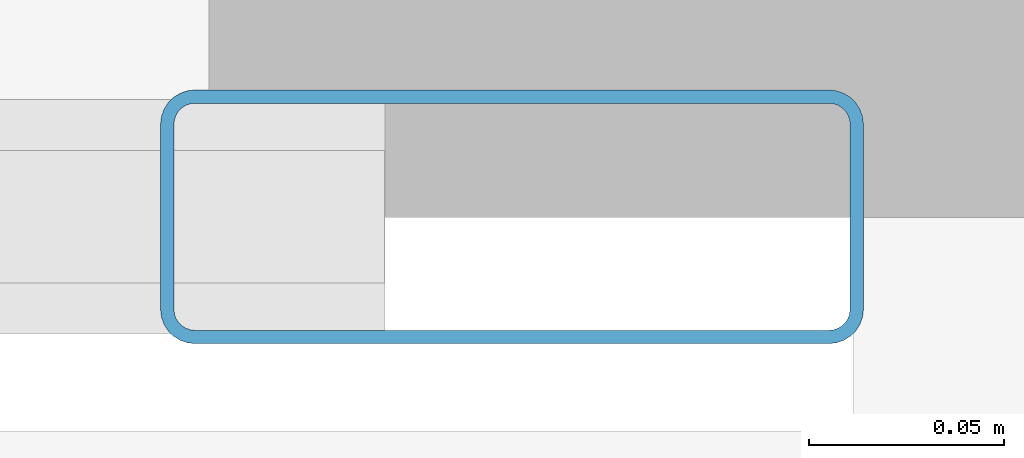
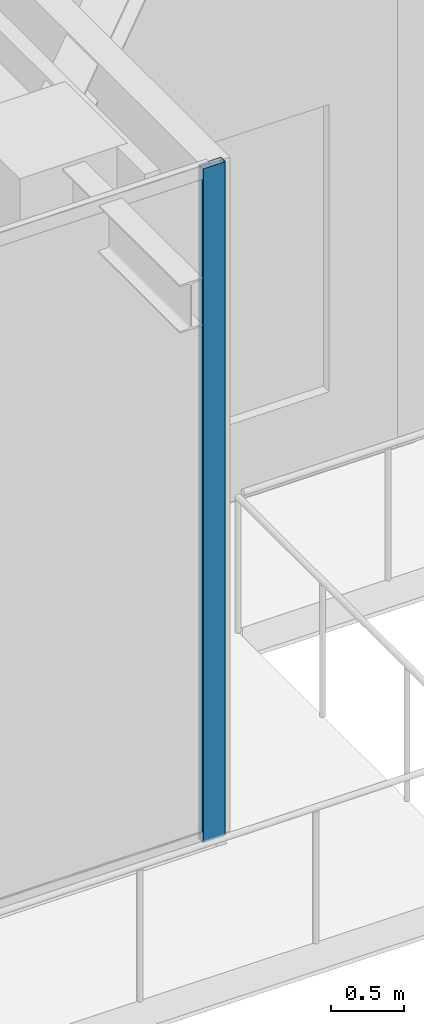
# One storey, part 12 of 40: 1 member, 1 element without a shape of its own.
"""IFC4 building model written with IfcOpenShell, lengths in metres."""

from ifc_helpers import new_model, si_unit, direction, frame, origin, origin_2d, place, context, subcontext, project, spatial, hollow_rectangle, extrude, source, transform, mapped, material, layer, layer_set, material_profile, profile_set, type_object, element, aggregate, save


model = new_model("IFC4")

# Units and contexts
model_context = context("Model", 3, precision=1e-05, world=origin(), true_north=direction((0.0, 1.0)))
body_context = subcontext(model_context, "Body", "Model", "MODEL_VIEW")
ifc_project = project(units=[si_unit("LENGTHUNIT", "METRE"), si_unit("AREAUNIT", "SQUARE_METRE"), si_unit("VOLUMEUNIT", "CUBIC_METRE"), si_unit("PLANEANGLEUNIT", "RADIAN"), si_unit("MASSUNIT", "GRAM", prefix="KILO")], contexts=[model_context])

# Site, building, storey
site_placement = place(None, origin())
site = spatial("IfcSite", under=ifc_project, at=site_placement, CompositionType="ELEMENT")
building_placement = place(site_placement, origin())
building = spatial("IfcBuilding", under=site, at=building_placement, Name="Serunith Strait Residences", CompositionType="ELEMENT")
storey_placement = place(building_placement, frame((0.0, 0.0, 347.949951171875)))
storey = spatial("IfcBuildingStorey", under=building, at=storey_placement, Name="L86", CompositionType="ELEMENT", Elevation=347.949951171875)

# Curtain wall, member
ifc_material = material(Name="Brushed Stainless-Silver Aluminium", Category="aluminium")
ifc_layer = layer(ifc_material, 0.199951171875, Name="Brushed Stainless-Silver Aluminium")
ifc_layer_set = layer_set([ifc_layer], Name="Brushed Stainless-Silver Aluminium")
curtain_wall_type = type_object("IfcCurtainWallType", Name="CW-SYS5", PredefinedType="NOTDEFINED", material=ifc_layer_set)
curtain_wall_placement = place(storey_placement, origin())
curtain_wall = element("IfcCurtainWall", 1, at=curtain_wall_placement, inside=storey, type_object=curtain_wall_type, Name="L86 S Unitised Fritted Curtain Wall", PredefinedType="NOTDEFINED")
ifc_material_profile = material_profile(ifc_material, hollow_rectangle(XDim=0.06494140625, YDim=0.179931640625, WallThickness=0.00341796875, InnerFilletRadius=0.00537109375, OuterFilletRadius=0.0087890625, at=origin_2d()), Name="ALU 180x65x3.5")
ifc_profile_set = profile_set([ifc_material_profile], Name="Brushed Stainless-Silver Aluminium")
member_type = type_object("IfcMemberType", Name="CW-SYS5-MULL", PredefinedType="MULLION", material=ifc_profile_set)
shared_shape = source(origin(), body_context, "Body", "SweptSolid", [
    extrude(hollow_rectangle(XDim=0.06494140625, YDim=0.179931640625, WallThickness=0.00341796875, InnerFilletRadius=0.00537109375, OuterFilletRadius=0.0087890625, at=origin_2d()), origin(), (0.0, 0.0, 1.0), 5.625),
])
member_placement = place(storey_placement, frame((46.967529296875, 4.0, 0.0), z_axis=(0.0, 0.0, 1.0), x_axis=(0.0, 1.0, 0.0)))
member = element("IfcMember", 2, at=member_placement, type_object=member_type, Name="CW-5 mullion 6", PredefinedType="MULLION", context=body_context, shape_type="MappedRepresentation", body=[
    mapped(shared_shape, transform((0.0, 0.0, 0.0), scale=1.0)),
])
aggregate(curtain_wall, [member])

save(model, "model.ifc")
